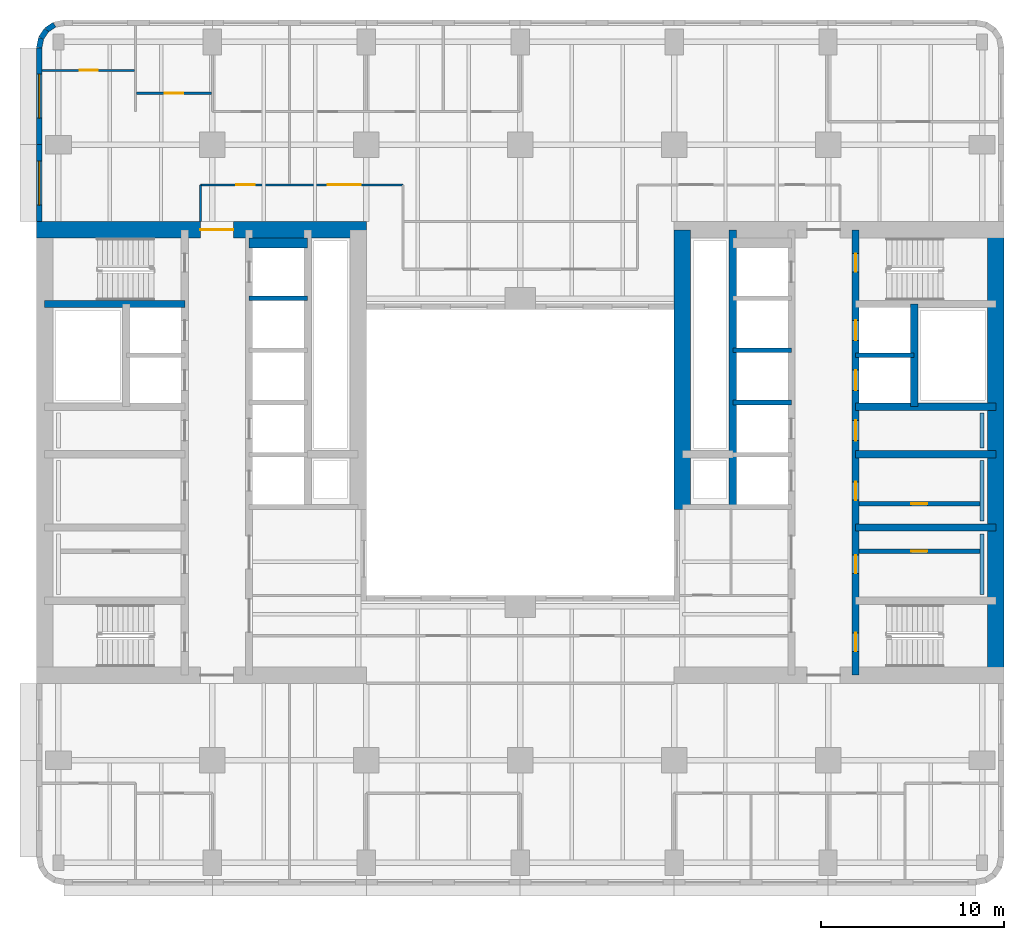
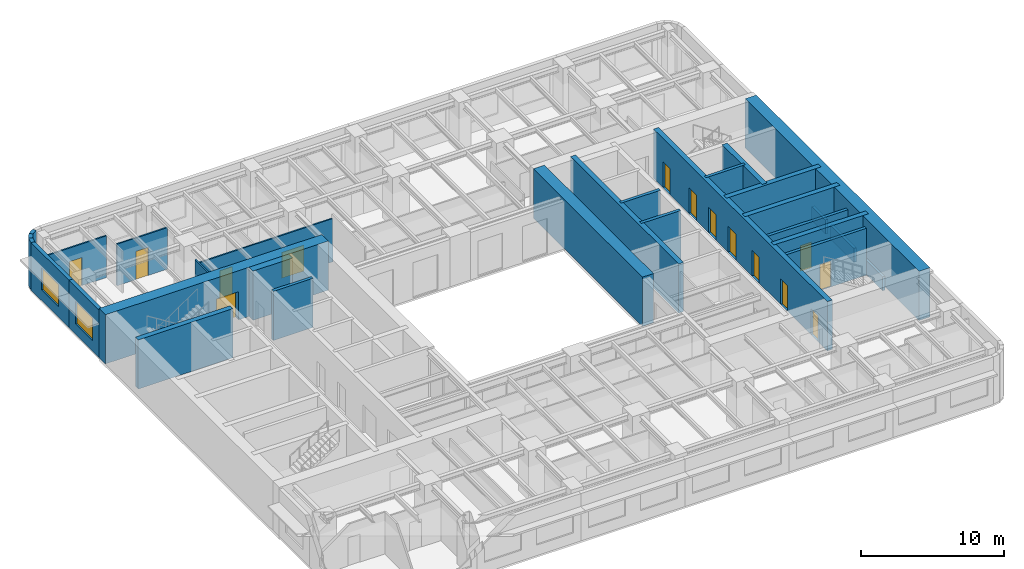
# One storey, part 6 of 11: 29 walls, 14 doors, 2 windows, 16 openings.
"""IFC4 building model written with IfcOpenShell, lengths in metres."""

from ifc_helpers import new_model, si_unit, direction, frame, frame_2d, origin, place, context, subcontext, project, spatial, rectangle, extrude, material, layer, layer_set, type_object, element, fill, save


model = new_model("IFC4")

# Units and contexts
model_context = context("Model", 3, precision=1e-05, world=origin(), true_north=direction((0.0, 1.0)))
body_context = subcontext(model_context, "Body", "Model", "MODEL_VIEW")
ifc_project = project(units=[si_unit("LENGTHUNIT", "METRE"), si_unit("AREAUNIT", "SQUARE_METRE"), si_unit("VOLUMEUNIT", "CUBIC_METRE"), si_unit("PLANEANGLEUNIT", "RADIAN"), si_unit("MASSUNIT", "GRAM", prefix="KILO")], contexts=[model_context])

# Site, building, storey
site_placement = place(None, origin())
site = spatial("IfcSite", under=ifc_project, at=site_placement, CompositionType="ELEMENT")
building_placement = place(site_placement, origin())
building = spatial("IfcBuilding", under=site, at=building_placement, Name="Claustro Exchange Tower", CompositionType="ELEMENT")
storey_placement = place(building_placement, frame((0.0, 0.0, 126.0)))
storey = spatial("IfcBuildingStorey", under=building, at=storey_placement, Name="L28", CompositionType="ELEMENT", Elevation=126.0)

# Wall, opening, door
ifc_material_1 = material(Name="Laminated glass in aluminium frame", Category="aluminium")
ifc_layer_1 = layer(ifc_material_1, 0.1201171875)
ifc_layer_set_1 = layer_set([ifc_layer_1], Name="Laminated glass in aluminium frame")
wall_type_1 = type_object("IfcWallType", Name="P2 120 glazed partition", PredefinedType="PARTITIONING", material=ifc_layer_set_1)
wall_1_placement = place(storey_placement, frame((-0.902099609375, 46.050048828125, 0.0), z_axis=(0.0, 0.0, 1.0), x_axis=(1.0, 0.0, 0.0)))
wall_1 = element("IfcWall", 1, at=wall_1_placement, inside=storey, type_object=wall_type_1, Name="Partition P2 L28", PredefinedType="PARTITIONING", context=body_context, shape_type="SweptSolid", body=[
    extrude(rectangle(XDim=5.044189453125, YDim=0.1201171875, at=frame_2d((2.52197265625, 0.0))), origin(), (0.0, 0.0, 1.0), 3.56005859375),
])
opening_1_placement = place(wall_1_placement, frame((2.052001953125, 0.0, 0.0)))
opening_1 = element("IfcOpeningElement", 2, at=opening_1_placement, cuts=wall_1, Name="Opening D7", PredefinedType="OPENING", context=body_context, shape_type="SweptSolid", body=[
    extrude(rectangle(XDim=1.0, YDim=2.39990234375, at=frame_2d((0.5, 1.199951171875))), frame((0.0, 0.070068359375, 0.0), z_axis=(0.0, -1.0, 0.0), x_axis=(1.0, 0.0, 0.0)), (0.0, 0.0, 1.0), 0.14013671875),
])
ifc_material_2 = material(Name="Glass door in aluminium frame", Category="aluminium")
door_type_1 = type_object("IfcDoorType", Name="D7 1000 x 2400 glazed door", OperationType="SINGLE_SWING_LEFT", PredefinedType="DOOR", material=ifc_material_2)
door_1_placement = place(opening_1_placement, origin())
door_1 = element("IfcDoor", 3, at=door_1_placement, inside=storey, type_object=door_type_1, Name="Door D7 L28", OperationType="SINGLE_SWING_RIGHT", OverallHeight=2.39990234375, OverallWidth=1.0, PredefinedType="DOOR", context=body_context, shape_type="SweptSolid", body=[
    extrude(rectangle(XDim=1.0, YDim=2.39990234375, at=frame_2d((0.5, 1.199951171875))), frame((0.0, 0.02490234375, 0.0), z_axis=(0.0, -1.0, 0.0), x_axis=(1.0, 0.0, 0.0)), (0.0, 0.0, 1.0), 0.050048828125),
])
fill(opening_1, door_1)

wall_2_placement = place(storey_placement, frame((4.258056640625, 44.800048828125, 0.0), z_axis=(0.0, 0.0, 1.0), x_axis=(1.0, 0.0, 0.0)))
wall_2 = element("IfcWall", 4, at=wall_2_placement, inside=storey, type_object=wall_type_1, Name="Partition P2 L28", PredefinedType="PARTITIONING", context=body_context, shape_type="SweptSolid", body=[
    extrude(rectangle(XDim=4.083984375, YDim=0.1201171875, at=frame_2d((2.0419921875, 0.0))), origin(), (0.0, 0.0, 1.0), 3.550048828125),
])
opening_2_placement = place(wall_2_placement, frame((1.5419921875, 0.0, 0.0)))
opening_2 = element("IfcOpeningElement", 5, at=opening_2_placement, cuts=wall_2, Name="Opening D7", PredefinedType="OPENING", context=body_context, shape_type="SweptSolid", body=[
    extrude(rectangle(XDim=1.0, YDim=2.39990234375, at=frame_2d((0.5, 1.199951171875))), frame((0.0, 0.070068359375, 0.0), z_axis=(0.0, -1.0, 0.0), x_axis=(1.0, 0.0, 0.0)), (0.0, 0.0, 1.0), 0.14013671875),
])
door_2_placement = place(opening_2_placement, origin())
door_2 = element("IfcDoor", 6, at=door_2_placement, inside=storey, type_object=door_type_1, Name="Door D7 L28", OperationType="SINGLE_SWING_LEFT", OverallHeight=2.39990234375, OverallWidth=1.0, PredefinedType="DOOR", context=body_context, shape_type="SweptSolid", body=[
    extrude(rectangle(XDim=1.0, YDim=2.39990234375, at=frame_2d((0.5, 1.199951171875))), frame((0.0, 0.02490234375, 0.0), z_axis=(0.0, -1.0, 0.0), x_axis=(1.0, 0.0, 0.0)), (0.0, 0.0, 1.0), 0.050048828125),
])
fill(opening_2, door_2)

# Wall, openings, doors
wall_3_placement = place(storey_placement, frame((7.75, 39.800048828125, 0.0), z_axis=(0.0, 0.0, 1.0), x_axis=(1.0, 0.0, 0.0)))
wall_3 = element("IfcWall", 7, at=wall_3_placement, inside=storey, type_object=wall_type_1, Name="Partition P2 L28", PredefinedType="PARTITIONING", context=body_context, shape_type="SweptSolid", body=[
    extrude(rectangle(XDim=11.050048828125, YDim=0.1201171875, at=frame_2d((5.52490234375, 0.0))), origin(), (0.0, 0.0, 1.0), 3.68994140625),
])
opening_3_placement = place(wall_3_placement, frame((1.949951171875, 0.0, 0.0)))
opening_3 = element("IfcOpeningElement", 8, at=opening_3_placement, cuts=wall_3, Name="Opening D7", PredefinedType="OPENING", context=body_context, shape_type="SweptSolid", body=[
    extrude(rectangle(XDim=1.0, YDim=2.39990234375, at=frame_2d((0.5, 1.199951171875))), frame((0.0, 0.070068359375, 0.0), z_axis=(0.0, -1.0, 0.0), x_axis=(1.0, 0.0, 0.0)), (0.0, 0.0, 1.0), 0.14013671875),
])
opening_4_placement = place(wall_3_placement, frame((6.949951171875, 0.0, 0.0)))
opening_4 = element("IfcOpeningElement", 9, at=opening_4_placement, cuts=wall_3, Name="Opening D2", PredefinedType="OPENING", context=body_context, shape_type="SweptSolid", body=[
    extrude(rectangle(XDim=1.800048828125, YDim=2.199951171875, at=frame_2d((0.89990234375, 1.10009765625))), frame((0.0, 0.070068359375, 0.0), z_axis=(0.0, -1.0, 0.0), x_axis=(1.0, 0.0, 0.0)), (0.0, 0.0, 1.0), 0.14013671875),
])
ifc_material_3 = material(Name="Timber door, oak veneer", Category="wood")
door_type_2 = type_object("IfcDoorType", Name="D2 1800 x 2200 double door", OperationType="DOUBLE_DOOR_SINGLE_SWING", PredefinedType="DOOR", material=ifc_material_3)
door_3_placement = place(opening_4_placement, origin())
door_3 = element("IfcDoor", 10, at=door_3_placement, inside=storey, type_object=door_type_2, Name="Double door D2 L28", OperationType="DOUBLE_DOOR_SINGLE_SWING", OverallHeight=2.199951171875, OverallWidth=1.800048828125, PredefinedType="DOOR", context=body_context, shape_type="SweptSolid", body=[
    extrude(rectangle(XDim=1.800048828125, YDim=2.199951171875, at=frame_2d((0.89990234375, 1.10009765625))), frame((0.0, 0.02490234375, 0.0), z_axis=(0.0, -1.0, 0.0), x_axis=(1.0, 0.0, 0.0)), (0.0, 0.0, 1.0), 0.050048828125),
])
fill(opening_4, door_3)
door_4_placement = place(opening_3_placement, origin())
door_4 = element("IfcDoor", 11, at=door_4_placement, inside=storey, type_object=door_type_1, Name="Door D7 L28", OperationType="SINGLE_SWING_RIGHT", OverallHeight=2.39990234375, OverallWidth=1.0, PredefinedType="DOOR", context=body_context, shape_type="SweptSolid", body=[
    extrude(rectangle(XDim=1.0, YDim=2.39990234375, at=frame_2d((0.5, 1.199951171875))), frame((0.0, 0.02490234375, 0.0), z_axis=(0.0, -1.0, 0.0), x_axis=(1.0, 0.0, 0.0)), (0.0, 0.0, 1.0), 0.050048828125),
])
fill(opening_3, door_4)

# Wall
wall_4_placement = place(storey_placement, frame((7.75, 37.800048828125, 0.0), z_axis=(0.0, 0.0, 1.0), x_axis=(0.0, 1.0, 0.0)))
element("IfcWall", 12, at=wall_4_placement, inside=storey, type_object=wall_type_1, Name="Partition P2 L28", PredefinedType="PARTITIONING", context=body_context, shape_type="SweptSolid", body=[
    extrude(rectangle(XDim=2.0, YDim=0.1201171875, at=frame_2d((1.0, 0.0))), origin(), (0.0, 0.0, 1.0), 4.050048828125),
])

# Wall, opening, door
ifc_material_4 = material(Name="Concrete blockwork, rendered", Category="masonry")
ifc_layer_2 = layer(ifc_material_4, 0.25)
ifc_layer_set_2 = layer_set([ifc_layer_2], Name="Concrete blockwork, rendered")
wall_type_2 = type_object("IfcWallType", Name="P4 250 blockwork wall", PredefinedType="PARTITIONING", material=ifc_layer_set_2)
wall_5_placement = place(storey_placement, frame((43.699951171875, 22.39990234375, 0.0), z_axis=(0.0, 0.0, 1.0), x_axis=(1.0, 0.0, 0.0)))
wall_5 = element("IfcWall", 13, at=wall_5_placement, inside=storey, type_object=wall_type_2, Name="Partition P4 L28", PredefinedType="PARTITIONING", context=body_context, shape_type="SweptSolid", body=[
    extrude(rectangle(XDim=6.60009765625, YDim=0.25, at=frame_2d((3.300048828125, 0.0))), origin(), (0.0, 0.0, 1.0), 4.0),
])
opening_5_placement = place(wall_5_placement, frame((2.824951171875, 0.0, 0.0)))
opening_5 = element("IfcOpeningElement", 14, at=opening_5_placement, cuts=wall_5, Name="Opening D5", PredefinedType="OPENING", context=body_context, shape_type="SweptSolid", body=[
    extrude(rectangle(XDim=0.89990234375, YDim=2.199951171875, at=frame_2d((0.449951171875, 1.10009765625))), frame((0.0, 0.135009765625, 0.0), z_axis=(0.0, -1.0, 0.0), x_axis=(1.0, 0.0, 0.0)), (0.0, 0.0, 1.0), 0.27001953125),
])
ifc_material_5 = material(Name="Steel door, painted", Category="steel")
door_type_3 = type_object("IfcDoorType", Name="D5 900 x 2200 store door", OperationType="SINGLE_SWING_LEFT", PredefinedType="DOOR", material=ifc_material_5)
door_5_placement = place(opening_5_placement, frame((0.89990234375, 0.0, 0.0), z_axis=(0.0, 0.0, 1.0), x_axis=(-1.0, 0.0, 0.0)))
door_5 = element("IfcDoor", 15, at=door_5_placement, inside=storey, type_object=door_type_3, Name="Store door D5 L28", OperationType="SINGLE_SWING_LEFT", OverallHeight=2.199951171875, OverallWidth=0.89990234375, PredefinedType="DOOR", context=body_context, shape_type="SweptSolid", body=[
    extrude(rectangle(XDim=0.89990234375, YDim=2.199951171875, at=frame_2d((0.449951171875, 1.10009765625))), frame((0.0, 0.02490234375, 0.0), z_axis=(0.0, -1.0, 0.0), x_axis=(1.0, 0.0, 0.0)), (0.0, 0.0, 1.0), 0.050048828125),
])
fill(opening_5, door_5)

wall_6_placement = place(storey_placement, frame((43.699951171875, 19.800048828125, 0.0), z_axis=(0.0, 0.0, 1.0), x_axis=(1.0, 0.0, 0.0)))
wall_6 = element("IfcWall", 16, at=wall_6_placement, inside=storey, type_object=wall_type_2, Name="Partition P4 L28", PredefinedType="PARTITIONING", context=body_context, shape_type="SweptSolid", body=[
    extrude(rectangle(XDim=6.60009765625, YDim=0.25, at=frame_2d((3.300048828125, 0.0))), origin(), (0.0, 0.0, 1.0), 4.0),
])
opening_6_placement = place(wall_6_placement, frame((2.824951171875, 0.0, 0.0)))
opening_6 = element("IfcOpeningElement", 17, at=opening_6_placement, cuts=wall_6, Name="Opening D5", PredefinedType="OPENING", context=body_context, shape_type="SweptSolid", body=[
    extrude(rectangle(XDim=0.89990234375, YDim=2.199951171875, at=frame_2d((0.449951171875, 1.10009765625))), frame((0.0, 0.135009765625, 0.0), z_axis=(0.0, -1.0, 0.0), x_axis=(1.0, 0.0, 0.0)), (0.0, 0.0, 1.0), 0.27001953125),
])
door_6_placement = place(opening_6_placement, origin())
door_6 = element("IfcDoor", 18, at=door_6_placement, inside=storey, type_object=door_type_3, Name="Store door D5 L28", OperationType="SINGLE_SWING_RIGHT", OverallHeight=2.199951171875, OverallWidth=0.89990234375, PredefinedType="DOOR", context=body_context, shape_type="SweptSolid", body=[
    extrude(rectangle(XDim=0.89990234375, YDim=2.199951171875, at=frame_2d((0.449951171875, 1.10009765625))), frame((0.0, 0.02490234375, 0.0), z_axis=(0.0, -1.0, 0.0), x_axis=(1.0, 0.0, 0.0)), (0.0, 0.0, 1.0), 0.050048828125),
])
fill(opening_6, door_6)

# Wall, opening, window
ifc_material_6 = material(Name="Concrete HA-40 (C40/50), precast, white cement, acid-etched", Category="concrete")
ifc_layer_3 = layer(ifc_material_6, 0.300048828125)
ifc_layer_set_3 = layer_set([ifc_layer_3], Name="Concrete HA-40 (C40/50), precast, white cement, acid-etched")
wall_type_3 = type_object("IfcWallType", Name="PC1 300 precast concrete pier panel", PredefinedType="SOLIDWALL", material=ifc_layer_set_3)
wall_7_placement = place(storey_placement, frame((-1.050048828125, 37.800048828125, 0.0), z_axis=(0.0, 0.0, 1.0), x_axis=(0.0, 1.0, 0.0)))
wall_7 = element("IfcWall", 19, at=wall_7_placement, inside=storey, type_object=wall_type_3, Name="Precast pier panel PC1 L28", PredefinedType="SOLIDWALL", context=body_context, shape_type="SweptSolid", body=[
    extrude(rectangle(XDim=4.199951171875, YDim=0.300048828125, at=frame_2d((2.10009765625, 0.0))), origin(), (0.0, 0.0, 1.0), 4.050048828125),
])
opening_7_placement = place(wall_7_placement, frame((0.89990234375, 0.0, 0.89990234375)))
opening_7 = element("IfcOpeningElement", 20, at=opening_7_placement, cuts=wall_7, Name="Opening W2", PredefinedType="OPENING", context=body_context, shape_type="SweptSolid", body=[
    extrude(rectangle(XDim=2.39990234375, YDim=1.89990234375, at=frame_2d((1.199951171875, 0.949951171875))), frame((0.0, 0.159912109375, 0.0), z_axis=(0.0, -1.0, 0.0), x_axis=(1.0, 0.0, 0.0)), (0.0, 0.0, 1.0), 0.320068359375),
])
ifc_material_7 = material(Name="Aluminium frame, clear double glazing", Category="aluminium")
window_type = type_object("IfcWindowType", Name="W2 2400 x 1900 window", PartitioningType="SINGLE_PANEL", PredefinedType="WINDOW", material=ifc_material_7)
window_1_placement = place(opening_7_placement, origin())
window_1 = element("IfcWindow", 21, at=window_1_placement, inside=storey, type_object=window_type, Name="Window W2 L28", OverallHeight=1.89990234375, OverallWidth=2.39990234375, PartitioningType="SINGLE_PANEL", PredefinedType="WINDOW", context=body_context, shape_type="SweptSolid", body=[
    extrude(rectangle(XDim=2.39990234375, YDim=1.89990234375, at=frame_2d((1.199951171875, 0.949951171875))), frame((0.0, 0.030029296875, 0.0), z_axis=(0.0, -1.0, 0.0), x_axis=(1.0, 0.0, 0.0)), (0.0, 0.0, 1.0), 0.06005859375),
])
fill(opening_7, window_1)

wall_8_placement = place(storey_placement, frame((-1.050048828125, 42.0, 0.0), z_axis=(0.0, 0.0, 1.0), x_axis=(0.0, 1.0, 0.0)))
wall_8 = element("IfcWall", 22, at=wall_8_placement, inside=storey, type_object=wall_type_3, Name="Precast pier panel PC1 L28", PredefinedType="SOLIDWALL", context=body_context, shape_type="SweptSolid", body=[
    extrude(rectangle(XDim=5.28515625, YDim=0.300048828125, at=frame_2d((2.642578125, 0.0))), origin(), (0.0, 0.0, 1.0), 4.050048828125),
])
opening_8_placement = place(wall_8_placement, frame((1.442626953125, 0.0, 0.89990234375)))
opening_8 = element("IfcOpeningElement", 23, at=opening_8_placement, cuts=wall_8, Name="Opening W2", PredefinedType="OPENING", context=body_context, shape_type="SweptSolid", body=[
    extrude(rectangle(XDim=2.39990234375, YDim=1.89990234375, at=frame_2d((1.199951171875, 0.949951171875))), frame((0.0, 0.159912109375, 0.0), z_axis=(0.0, -1.0, 0.0), x_axis=(1.0, 0.0, 0.0)), (0.0, 0.0, 1.0), 0.320068359375),
])
window_2_placement = place(opening_8_placement, origin())
window_2 = element("IfcWindow", 24, at=window_2_placement, inside=storey, type_object=window_type, Name="Window W2 L28", OverallHeight=1.89990234375, OverallWidth=2.39990234375, PartitioningType="SINGLE_PANEL", PredefinedType="WINDOW", context=body_context, shape_type="SweptSolid", body=[
    extrude(rectangle(XDim=2.39990234375, YDim=1.89990234375, at=frame_2d((1.199951171875, 0.949951171875))), frame((0.0, 0.030029296875, 0.0), z_axis=(0.0, -1.0, 0.0), x_axis=(1.0, 0.0, 0.0)), (0.0, 0.0, 1.0), 0.06005859375),
])
fill(opening_8, window_2)

# Walls
wall_9_placement = place(storey_placement, frame((-1.050048828125, 47.28515625, 0.0), z_axis=(0.0, 0.0, 1.0), x_axis=(0.195073962632, 0.980788534345, 0.0)))
element("IfcWall", 25, at=wall_9_placement, inside=storey, type_object=wall_type_3, Name="Precast pier panel PC1 L28", PredefinedType="SOLIDWALL", context=body_context, shape_type="SweptSolid", body=[
    extrude(rectangle(XDim=0.540771484375, YDim=0.300048828125, at=frame_2d((0.2705078125, 0.0))), origin(), (0.0, 0.0, 1.0), 4.050048828125),
])
wall_10_placement = place(storey_placement, frame((-0.944580078125, 47.8154296875, 0.0), z_axis=(0.0, 0.0, 1.0), x_axis=(0.55534295404, 0.831621430339, 0.0)))
element("IfcWall", 26, at=wall_10_placement, inside=storey, type_object=wall_type_3, Name="Precast pier panel PC1 L28", PredefinedType="SOLIDWALL", context=body_context, shape_type="SweptSolid", body=[
    extrude(rectangle(XDim=0.52587890625, YDim=0.300048828125, at=frame_2d((0.262939453125, 0.0))), origin(), (0.0, 0.0, 1.0), 4.050048828125),
])
wall_11_placement = place(storey_placement, frame((-0.652587890625, 48.252685546875, 0.0), z_axis=(0.0, 0.0, 1.0), x_axis=(0.831692711774, 0.555236195849, 0.0)))
element("IfcWall", 27, at=wall_11_placement, inside=storey, type_object=wall_type_3, Name="Precast pier panel PC1 L28", PredefinedType="SOLIDWALL", context=body_context, shape_type="SweptSolid", body=[
    extrude(rectangle(XDim=0.525390625, YDim=0.300048828125, at=frame_2d((0.2626953125, 0.0))), origin(), (0.0, 0.0, 1.0), 4.050048828125),
])
ifc_material_8 = material(Name="Gypsum board on steel studs, tiled", Category="steel")
ifc_layer_4 = layer(ifc_material_8, 0.199951171875)
ifc_layer_set_4 = layer_set([ifc_layer_4], Name="Gypsum board on steel studs, tiled")
wall_type_4 = type_object("IfcWallType", Name="PW1 200 WC duct wall", PredefinedType="PLUMBINGWALL", material=ifc_layer_set_4)
for number, where, z_axis, x_axis, name in (
    (28, (50.39990234375, 17.449951171875, 0.0), (0.0, 0.0, 1.0), (0.0, 1.0, 0.0), "WC duct wall PW1 L28"),
    (29, (50.39990234375, 21.449951171875, 0.0), (0.0, 0.0, 1.0), (0.0, 1.0, 0.0), "WC duct wall PW1 L28"),
):
    element("IfcWall", number, at=place(storey_placement, frame(where, z_axis=z_axis, x_axis=x_axis)), inside=storey, type_object=wall_type_4, Name=name, PredefinedType="PLUMBINGWALL", context=body_context, shape_type="SweptSolid", body=[
        extrude(rectangle(XDim=3.300048828125, YDim=0.199951171875, at=frame_2d((1.64990234375, 0.0))), origin(), (0.0, 0.0, 1.0), 1.199951171875),
    ])
wall_12_placement = place(storey_placement, frame((50.39990234375, 25.449951171875, 0.0), z_axis=(0.0, 0.0, 1.0), x_axis=(0.0, 1.0, 0.0)))
element("IfcWall", 30, at=wall_12_placement, inside=storey, type_object=wall_type_4, Name="WC duct wall PW1 L28", PredefinedType="PLUMBINGWALL", context=body_context, shape_type="SweptSolid", body=[
    extrude(rectangle(XDim=1.900146484375, YDim=0.199951171875, at=frame_2d((0.9501953125, 0.0))), origin(), (0.0, 0.0, 1.0), 1.199951171875),
])

# Wall, opening, door
ifc_material_9 = material(Name="Concrete HA-70 (C70/85)", Category="concrete")
ifc_layer_5 = layer(ifc_material_9, 0.89990234375)
ifc_layer_set_5 = layer_set([ifc_layer_5], Name="Concrete HA-70 (C70/85)")
wall_type_5 = type_object("IfcWallType", Name="SW1 900 core shear wall", PredefinedType="SHEAR", material=ifc_layer_set_5)
wall_13_placement = place(storey_placement, frame((-1.199951171875, 37.35009765625, 0.0), z_axis=(0.0, 0.0, 1.0), x_axis=(1.0, 0.0, 0.0)))
wall_13 = element("IfcWall", 31, at=wall_13_placement, inside=storey, type_object=wall_type_5, Name="Core wall SW1 W core N face L28", PredefinedType="SHEAR", context=body_context, shape_type="SweptSolid", body=[
    extrude(rectangle(XDim=18.0, YDim=0.89990234375, at=frame_2d((9.0, 0.0))), origin(), (0.0, 0.0, 1.0), 4.199951171875),
])
opening_9_placement = place(wall_13_placement, frame((8.949951171875, 0.0, 0.0)))
opening_9 = element("IfcOpeningElement", 32, at=opening_9_placement, cuts=wall_13, Name="Opening D3", PredefinedType="OPENING", context=body_context, shape_type="SweptSolid", body=[
    extrude(rectangle(XDim=1.800048828125, YDim=2.39990234375, at=frame_2d((0.89990234375, 1.199951171875))), frame((0.0, 0.4599609375, 0.0), z_axis=(0.0, -1.0, 0.0), x_axis=(1.0, 0.0, 0.0)), (0.0, 0.0, 1.0), 0.919921875),
])
ifc_material_10 = material(Name="Steel fire door, painted", Category="steel")
door_type_4 = type_object("IfcDoorType", Name="D3 1800 x 2400 fire-rated lobby double door", OperationType="DOUBLE_DOOR_SINGLE_SWING", PredefinedType="DOOR", material=ifc_material_10)
door_7_placement = place(opening_9_placement, frame((1.800048828125, 0.0, 0.0), z_axis=(0.0, 0.0, 1.0), x_axis=(-1.0, 0.0, 0.0)))
door_7 = element("IfcDoor", 33, at=door_7_placement, inside=storey, type_object=door_type_4, Name="Lift lobby door D3 L28", OperationType="DOUBLE_DOOR_SINGLE_SWING", OverallHeight=2.39990234375, OverallWidth=1.800048828125, PredefinedType="DOOR", context=body_context, shape_type="SweptSolid", body=[
    extrude(rectangle(XDim=1.800048828125, YDim=2.39990234375, at=frame_2d((0.89990234375, 1.199951171875))), frame((0.0, 0.02490234375, 0.0), z_axis=(0.0, -1.0, 0.0), x_axis=(1.0, 0.0, 0.0)), (0.0, 0.0, 1.0), 0.050048828125),
])
fill(opening_9, door_7)

# Walls
ifc_material_11 = material(Name="Concrete HA-70 (C70/85)", Category="concrete")
ifc_layer_6 = layer(ifc_material_11, 0.89990234375)
ifc_layer_set_6 = layer_set([ifc_layer_6], Name="Concrete HA-70 (C70/85)")
wall_type_6 = type_object("IfcWallType", Name="SW1X 900 exposed core shear wall, board-marked face", PredefinedType="SHEAR", material=ifc_layer_set_6)
wall_14_placement = place(storey_placement, frame((34.050048828125, 22.10009765625, 0.0), z_axis=(0.0, 0.0, 1.0), x_axis=(0.0, 1.0, 0.0)))
element("IfcWall", 34, at=wall_14_placement, inside=storey, type_object=wall_type_6, Name="Core wall SW1X E core W face L28", PredefinedType="SHEAR", context=body_context, shape_type="SweptSolid", body=[
    extrude(rectangle(XDim=15.25, YDim=0.89990234375, at=frame_2d((7.625, 0.0))), origin(), (0.0, 0.0, 1.0), 4.199951171875),
])
wall_15_placement = place(storey_placement, frame((51.14990234375, 13.050048828125, 0.0), z_axis=(0.0, 0.0, 1.0), x_axis=(0.0, 1.0, 0.0)))
element("IfcWall", 35, at=wall_15_placement, inside=storey, type_object=wall_type_6, Name="Core wall SW1X E core E face L28", PredefinedType="SHEAR", context=body_context, shape_type="SweptSolid", body=[
    extrude(rectangle(XDim=24.300048828125, YDim=0.89990234375, at=frame_2d((12.14990234375, 0.0))), origin(), (0.0, 0.0, 1.0), 4.199951171875),
])
ifc_material_12 = material(Name="Concrete HA-50 (C50/60)", Category="concrete")
ifc_layer_7 = layer(ifc_material_12, 0.39990234375)
ifc_layer_set_7 = layer_set([ifc_layer_7], Name="Concrete HA-50 (C50/60)")
wall_type_7 = type_object("IfcWallType", Name="SW4 400 internal core wall", PredefinedType="SHEAR", material=ifc_layer_set_7)
wall_16_placement = place(storey_placement, frame((-0.75, 33.300048828125, 0.0), z_axis=(0.0, 0.0, 1.0), x_axis=(1.0, 0.0, 0.0)))
element("IfcWall", 36, at=wall_16_placement, inside=storey, type_object=wall_type_7, Name="Internal core wall SW4 W core L28", PredefinedType="SHEAR", context=body_context, shape_type="SweptSolid", body=[
    extrude(rectangle(XDim=7.64990234375, YDim=0.39990234375, at=frame_2d((3.824951171875, 0.0))), origin(), (0.0, 0.0, 1.0), 4.199951171875),
])

# Wall, openings, doors
wall_17_placement = place(storey_placement, frame((43.5, 13.050048828125, 0.0), z_axis=(0.0, 0.0, 1.0), x_axis=(0.0, 1.0, 0.0)))
wall_17 = element("IfcWall", 37, at=wall_17_placement, inside=storey, type_object=wall_type_7, Name="Internal core wall SW4 E core L28", PredefinedType="SHEAR", context=body_context, shape_type="SweptSolid", body=[
    extrude(rectangle(XDim=24.300048828125, YDim=0.39990234375, at=frame_2d((12.14990234375, 0.0))), origin(), (0.0, 0.0, 1.0), 4.199951171875),
])
opening_10_placement = place(wall_17_placement, frame((1.300048828125, 0.0, 0.0)))
opening_10 = element("IfcOpeningElement", 38, at=opening_10_placement, cuts=wall_17, Name="Opening D4", PredefinedType="OPENING", context=body_context, shape_type="SweptSolid", body=[
    extrude(rectangle(XDim=1.0, YDim=2.199951171875, at=frame_2d((0.5, 1.10009765625))), frame((0.0, 0.2099609375, 0.0), z_axis=(0.0, -1.0, 0.0), x_axis=(1.0, 0.0, 0.0)), (0.0, 0.0, 1.0), 0.419921875),
])
opening_11_placement = place(wall_17_placement, frame((22.0, 0.0, 0.0)))
opening_11 = element("IfcOpeningElement", 39, at=opening_11_placement, cuts=wall_17, Name="Opening D4", PredefinedType="OPENING", context=body_context, shape_type="SweptSolid", body=[
    extrude(rectangle(XDim=1.0, YDim=2.199951171875, at=frame_2d((0.5, 1.10009765625))), frame((0.0, 0.2099609375, 0.0), z_axis=(0.0, -1.0, 0.0), x_axis=(1.0, 0.0, 0.0)), (0.0, 0.0, 1.0), 0.419921875),
])
opening_12_placement = place(wall_17_placement, frame((5.550048828125, 0.0, 0.0)))
opening_12 = element("IfcOpeningElement", 40, at=opening_12_placement, cuts=wall_17, Name="Opening D1", PredefinedType="OPENING", context=body_context, shape_type="SweptSolid", body=[
    extrude(rectangle(XDim=1.0, YDim=2.199951171875, at=frame_2d((0.5, 1.10009765625))), frame((0.0, 0.2099609375, 0.0), z_axis=(0.0, -1.0, 0.0), x_axis=(1.0, 0.0, 0.0)), (0.0, 0.0, 1.0), 0.419921875),
])
opening_13_placement = place(wall_17_placement, frame((9.550048828125, 0.0, 0.0)))
opening_13 = element("IfcOpeningElement", 41, at=opening_13_placement, cuts=wall_17, Name="Opening D1", PredefinedType="OPENING", context=body_context, shape_type="SweptSolid", body=[
    extrude(rectangle(XDim=1.0, YDim=2.199951171875, at=frame_2d((0.5, 1.10009765625))), frame((0.0, 0.2099609375, 0.0), z_axis=(0.0, -1.0, 0.0), x_axis=(1.0, 0.0, 0.0)), (0.0, 0.0, 1.0), 0.419921875),
])
opening_14_placement = place(wall_17_placement, frame((12.800048828125, 0.0, 0.0)))
opening_14 = element("IfcOpeningElement", 42, at=opening_14_placement, cuts=wall_17, Name="Opening D10", PredefinedType="OPENING", context=body_context, shape_type="SweptSolid", body=[
    extrude(rectangle(XDim=1.10009765625, YDim=2.199951171875, at=frame_2d((0.550048828125, 1.10009765625))), frame((0.0, 0.2099609375, 0.0), z_axis=(0.0, -1.0, 0.0), x_axis=(1.0, 0.0, 0.0)), (0.0, 0.0, 1.0), 0.419921875),
])
opening_15_placement = place(wall_17_placement, frame((15.53759765625, 0.0, 0.0)))
opening_15 = element("IfcOpeningElement", 43, at=opening_15_placement, cuts=wall_17, Name="Opening LD", PredefinedType="OPENING", context=body_context, shape_type="SweptSolid", body=[
    extrude(rectangle(XDim=1.10009765625, YDim=2.199951171875, at=frame_2d((0.550048828125, 1.10009765625))), frame((0.0, 0.2099609375, 0.0), z_axis=(0.0, -1.0, 0.0), x_axis=(1.0, 0.0, 0.0)), (0.0, 0.0, 1.0), 0.419921875),
])
opening_16_placement = place(wall_17_placement, frame((18.262451171875, 0.0, 0.0)))
opening_16 = element("IfcOpeningElement", 44, at=opening_16_placement, cuts=wall_17, Name="Opening LD", PredefinedType="OPENING", context=body_context, shape_type="SweptSolid", body=[
    extrude(rectangle(XDim=1.10009765625, YDim=2.199951171875, at=frame_2d((0.550048828125, 1.10009765625))), frame((0.0, 0.2099609375, 0.0), z_axis=(0.0, -1.0, 0.0), x_axis=(1.0, 0.0, 0.0)), (0.0, 0.0, 1.0), 0.419921875),
])
ifc_material_13 = material(Name="Timber door, oak veneer", Category="wood")
door_type_5 = type_object("IfcDoorType", Name="D1 1000 x 2200 single door", OperationType="SINGLE_SWING_LEFT", PredefinedType="DOOR", material=ifc_material_13)
door_8_placement = place(opening_12_placement, frame((1.0, 0.0, 0.0), z_axis=(0.0, 0.0, 1.0), x_axis=(-1.0, 0.0, 0.0)))
door_8 = element("IfcDoor", 45, at=door_8_placement, inside=storey, type_object=door_type_5, Name="Door D1 L28", OperationType="SINGLE_SWING_LEFT", OverallHeight=2.199951171875, OverallWidth=1.0, PredefinedType="DOOR", context=body_context, shape_type="SweptSolid", body=[
    extrude(rectangle(XDim=1.0, YDim=2.199951171875, at=frame_2d((0.5, 1.10009765625))), frame((0.0, 0.02490234375, 0.0), z_axis=(0.0, -1.0, 0.0), x_axis=(1.0, 0.0, 0.0)), (0.0, 0.0, 1.0), 0.050048828125),
])
fill(opening_12, door_8)
door_9_placement = place(opening_13_placement, frame((1.0, 0.0, 0.0), z_axis=(0.0, 0.0, 1.0), x_axis=(-1.0, 0.0, 0.0)))
door_9 = element("IfcDoor", 46, at=door_9_placement, inside=storey, type_object=door_type_5, Name="Door D1 L28", OperationType="SINGLE_SWING_RIGHT", OverallHeight=2.199951171875, OverallWidth=1.0, PredefinedType="DOOR", context=body_context, shape_type="SweptSolid", body=[
    extrude(rectangle(XDim=1.0, YDim=2.199951171875, at=frame_2d((0.5, 1.10009765625))), frame((0.0, 0.02490234375, 0.0), z_axis=(0.0, -1.0, 0.0), x_axis=(1.0, 0.0, 0.0)), (0.0, 0.0, 1.0), 0.050048828125),
])
fill(opening_13, door_9)
ifc_material_14 = material(Name="Timber door, oak veneer", Category="wood")
door_type_6 = type_object("IfcDoorType", Name="D10 1100 x 2200 accessible WC door", OperationType="SINGLE_SWING_LEFT", PredefinedType="DOOR", material=ifc_material_14)
door_10_placement = place(opening_14_placement, origin())
door_10 = element("IfcDoor", 47, at=door_10_placement, inside=storey, type_object=door_type_6, Name="Accessible WC door D10 L28", OperationType="SINGLE_SWING_RIGHT", OverallHeight=2.199951171875, OverallWidth=1.10009765625, PredefinedType="DOOR", context=body_context, shape_type="SweptSolid", body=[
    extrude(rectangle(XDim=1.10009765625, YDim=2.199951171875, at=frame_2d((0.550048828125, 1.10009765625))), frame((0.0, 0.02490234375, 0.0), z_axis=(0.0, -1.0, 0.0), x_axis=(1.0, 0.0, 0.0)), (0.0, 0.0, 1.0), 0.050048828125),
])
fill(opening_14, door_10)
ifc_material_15 = material(Name="Steel fire door, painted", Category="steel")
door_type_7 = type_object("IfcDoorType", Name="D4 1000 x 2200 fire-rated stair door", OperationType="SINGLE_SWING_LEFT", PredefinedType="DOOR", material=ifc_material_15)
door_11_placement = place(opening_10_placement, frame((1.0, 0.0, 0.0), z_axis=(0.0, 0.0, 1.0), x_axis=(-1.0, 0.0, 0.0)))
door_11 = element("IfcDoor", 48, at=door_11_placement, inside=storey, type_object=door_type_7, Name="Stair door D4 L28", OperationType="SINGLE_SWING_RIGHT", OverallHeight=2.199951171875, OverallWidth=1.0, PredefinedType="DOOR", context=body_context, shape_type="SweptSolid", body=[
    extrude(rectangle(XDim=1.0, YDim=2.199951171875, at=frame_2d((0.5, 1.10009765625))), frame((0.0, 0.02490234375, 0.0), z_axis=(0.0, -1.0, 0.0), x_axis=(1.0, 0.0, 0.0)), (0.0, 0.0, 1.0), 0.050048828125),
])
fill(opening_10, door_11)
door_12_placement = place(opening_11_placement, frame((1.0, 0.0, 0.0), z_axis=(0.0, 0.0, 1.0), x_axis=(-1.0, 0.0, 0.0)))
door_12 = element("IfcDoor", 49, at=door_12_placement, inside=storey, type_object=door_type_7, Name="Stair door D4 L28", OperationType="SINGLE_SWING_LEFT", OverallHeight=2.199951171875, OverallWidth=1.0, PredefinedType="DOOR", context=body_context, shape_type="SweptSolid", body=[
    extrude(rectangle(XDim=1.0, YDim=2.199951171875, at=frame_2d((0.5, 1.10009765625))), frame((0.0, 0.02490234375, 0.0), z_axis=(0.0, -1.0, 0.0), x_axis=(1.0, 0.0, 0.0)), (0.0, 0.0, 1.0), 0.050048828125),
])
fill(opening_11, door_12)
ifc_material_16 = material(Name="Stainless steel sliding door", Category="steel")
door_type_8 = type_object("IfcDoorType", Name="LD 1100 x 2200 lift landing door", OperationType="DOUBLE_DOOR_SLIDING", PredefinedType="DOOR", material=ifc_material_16)
door_13_placement = place(opening_15_placement, origin())
door_13 = element("IfcDoor", 50, at=door_13_placement, inside=storey, type_object=door_type_8, Name="Lift landing door LEE1 LD L28", OperationType="DOUBLE_DOOR_SLIDING", OverallHeight=2.199951171875, OverallWidth=1.10009765625, PredefinedType="DOOR", context=body_context, shape_type="SweptSolid", body=[
    extrude(rectangle(XDim=1.10009765625, YDim=2.199951171875, at=frame_2d((0.550048828125, 1.10009765625))), frame((0.0, 0.02490234375, 0.0), z_axis=(0.0, -1.0, 0.0), x_axis=(1.0, 0.0, 0.0)), (0.0, 0.0, 1.0), 0.050048828125),
])
fill(opening_15, door_13)
door_14_placement = place(opening_16_placement, origin())
door_14 = element("IfcDoor", 51, at=door_14_placement, inside=storey, type_object=door_type_8, Name="Lift landing door LEE2 LD L28", OperationType="DOUBLE_DOOR_SLIDING", OverallHeight=2.199951171875, OverallWidth=1.10009765625, PredefinedType="DOOR", context=body_context, shape_type="SweptSolid", body=[
    extrude(rectangle(XDim=1.10009765625, YDim=2.199951171875, at=frame_2d((0.550048828125, 1.10009765625))), frame((0.0, 0.02490234375, 0.0), z_axis=(0.0, -1.0, 0.0), x_axis=(1.0, 0.0, 0.0)), (0.0, 0.0, 1.0), 0.050048828125),
])
fill(opening_16, door_14)

# Walls
wall_18_placement = place(storey_placement, frame((36.800048828125, 22.22509765625, 0.0), z_axis=(0.0, 0.0, 1.0), x_axis=(0.0, 1.0, 0.0)))
element("IfcWall", 52, at=wall_18_placement, inside=storey, type_object=wall_type_7, Name="Internal core wall SW4 E core L28", PredefinedType="SHEAR", context=body_context, shape_type="SweptSolid", body=[
    extrude(rectangle(XDim=15.125, YDim=0.39990234375, at=frame_2d((7.5625, 0.0))), origin(), (0.0, 0.0, 1.0), 4.199951171875),
])
for number, where, z_axis, x_axis, name in (
    (53, (51.14990234375, 21.10009765625, 0.0), (0.0, 0.0, 1.0), (-1.0, 0.0, 0.0), "Internal core wall SW4 E core L28"),
    (54, (51.14990234375, 25.10009765625, 0.0), (0.0, 0.0, 1.0), (-1.0, 0.0, 0.0), "Internal core wall SW4 E core L28"),
    (55, (51.14990234375, 27.699951171875, 0.0), (0.0, 0.0, 1.0), (-1.0, 0.0, 0.0), "Internal core wall SW4 E core L28"),
):
    element("IfcWall", number, at=place(storey_placement, frame(where, z_axis=z_axis, x_axis=x_axis)), inside=storey, type_object=wall_type_7, Name=name, PredefinedType="SHEAR", context=body_context, shape_type="SweptSolid", body=[
        extrude(rectangle(XDim=7.64990234375, YDim=0.39990234375, at=frame_2d((3.824951171875, 0.0))), origin(), (0.0, 0.0, 1.0), 4.199951171875),
    ])
wall_19_placement = place(storey_placement, frame((46.699951171875, 27.699951171875, 0.0), z_axis=(0.0, 0.0, 1.0), x_axis=(0.0, 1.0, 0.0)))
element("IfcWall", 56, at=wall_19_placement, inside=storey, type_object=wall_type_7, Name="Internal core wall SW4 E core L28", PredefinedType="SHEAR", context=body_context, shape_type="SweptSolid", body=[
    extrude(rectangle(XDim=5.60009765625, YDim=0.39990234375, at=frame_2d((2.800048828125, 0.0))), origin(), (0.0, 0.0, 1.0), 4.199951171875),
])
ifc_material_17 = material(Name="Concrete HA-50 (C50/60)", Category="concrete")
ifc_layer_8 = layer(ifc_material_17, 0.25)
ifc_layer_set_8 = layer_set([ifc_layer_8], Name="Concrete HA-50 (C50/60)")
wall_type_8 = type_object("IfcWallType", Name="SW5 250 lift shaft divider wall", PredefinedType="SHEAR", material=ifc_layer_set_8)
wall_20_placement = place(storey_placement, frame((10.39990234375, 33.625, 0.0), z_axis=(0.0, 0.0, 1.0), x_axis=(1.0, 0.0, 0.0)))
element("IfcWall", 57, at=wall_20_placement, inside=storey, type_object=wall_type_8, Name="Lift shaft wall W core L28", PredefinedType="SHEAR", context=body_context, shape_type="SweptSolid", body=[
    extrude(rectangle(XDim=3.2001953125, YDim=0.25, at=frame_2d((1.60009765625, 0.0))), origin(), (0.0, 0.0, 1.0), 4.199951171875),
])
for number, where, z_axis, x_axis, name in (
    (58, (46.699951171875, 30.5, 0.0), (0.0, 0.0, 1.0), (-1.0, 0.0, 0.0), "Lift shaft wall E core L28"),
    (59, (40.0, 27.925048828125, 0.0), (0.0, 0.0, 1.0), (-1.0, 0.0, 0.0), "Lift shaft wall E core L28"),
    (60, (40.0, 30.77490234375, 0.0), (0.0, 0.0, 1.0), (-1.0, 0.0, 0.0), "Lift shaft wall E core L28"),
):
    element("IfcWall", number, at=place(storey_placement, frame(where, z_axis=z_axis, x_axis=x_axis)), inside=storey, type_object=wall_type_8, Name=name, PredefinedType="SHEAR", context=body_context, shape_type="SweptSolid", body=[
        extrude(rectangle(XDim=3.199951171875, YDim=0.25, at=frame_2d((1.60009765625, 0.0))), origin(), (0.0, 0.0, 1.0), 4.199951171875),
    ])
ifc_material_18 = material(Name="Concrete HA-50 (C50/60)", Category="concrete")
ifc_layer_9 = layer(ifc_material_18, 0.550048828125)
ifc_layer_set_9 = layer_set([ifc_layer_9], Name="Concrete HA-50 (C50/60)")
wall_type_9 = type_object("IfcWallType", Name="SW6 550 lift shaft end wall", PredefinedType="SHEAR", material=ifc_layer_set_9)
wall_21_placement = place(storey_placement, frame((10.39990234375, 36.625, 0.0), z_axis=(0.0, 0.0, 1.0), x_axis=(1.0, 0.0, 0.0)))
element("IfcWall", 61, at=wall_21_placement, inside=storey, type_object=wall_type_9, Name="Lift shaft wall W core L28", PredefinedType="SHEAR", context=body_context, shape_type="SweptSolid", body=[
    extrude(rectangle(XDim=3.2001953125, YDim=0.550048828125, at=frame_2d((1.60009765625, 0.0))), origin(), (0.0, 0.0, 1.0), 4.199951171875),
])

save(model, "model.ifc")
